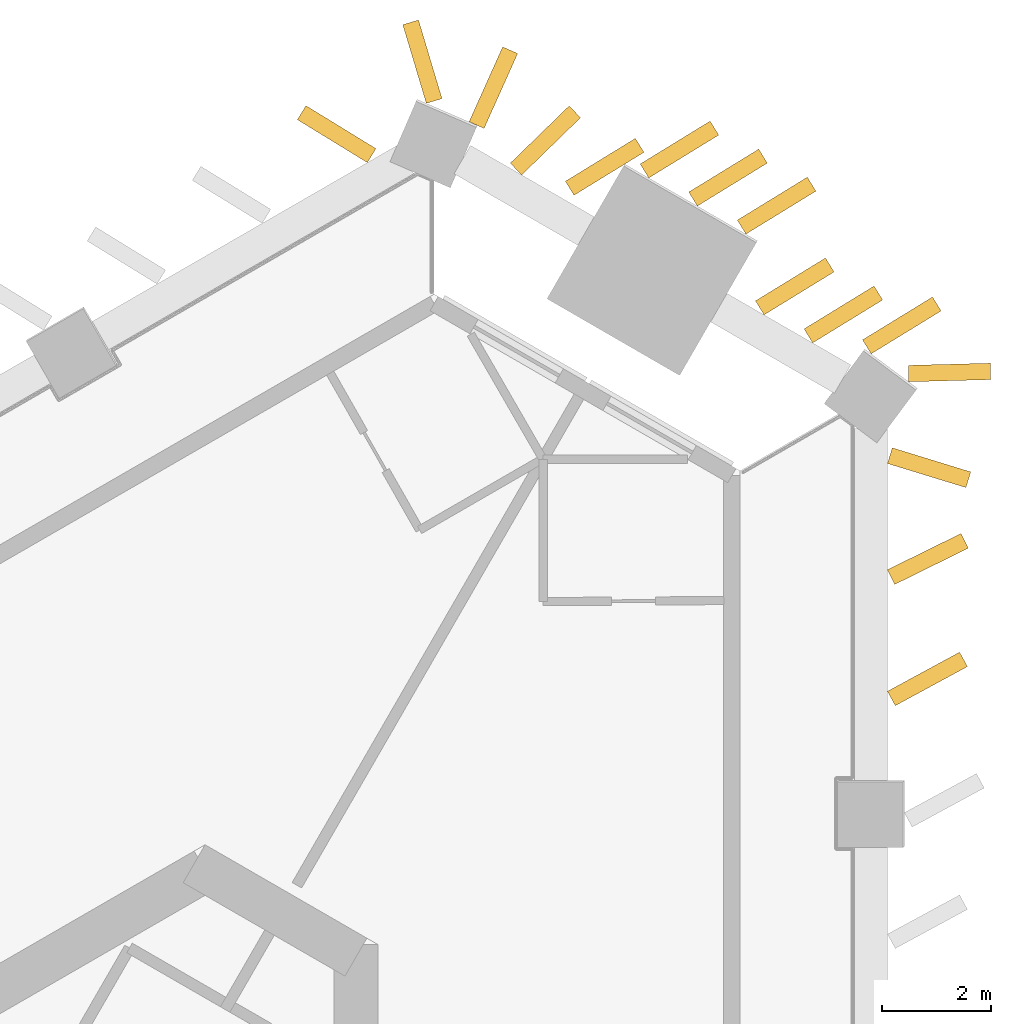
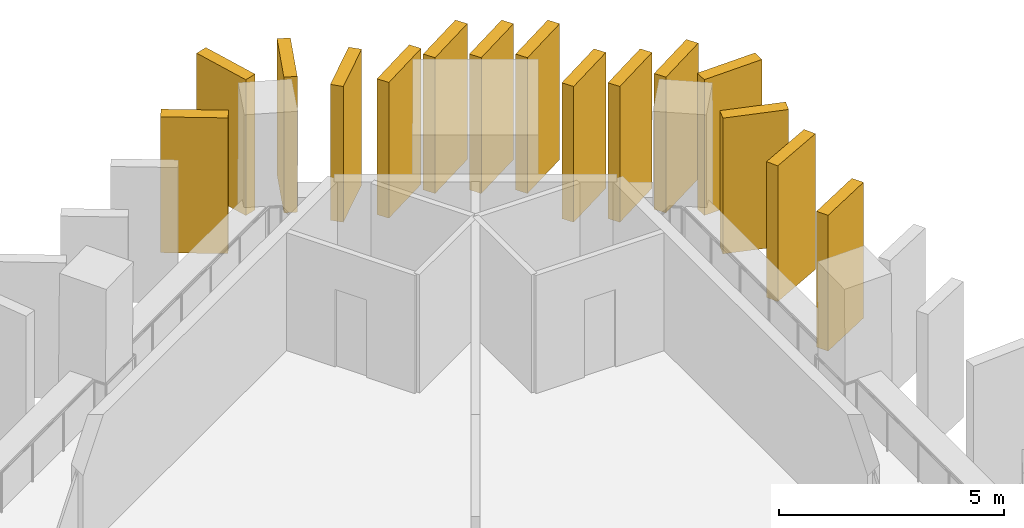
# One storey, part 10 of 10: 15 shading devices.
"""IFC4 building model written with IfcOpenShell, lengths in metres."""

from ifc_helpers import new_model, si_unit, direction, frame, frame_2d, origin, place, context, subcontext, project, spatial, rectangle, extrude, material, layer, layer_set, type_object, element, save


model = new_model("IFC4")

# Units and contexts
model_context = context("Model", 3, precision=1e-05, world=origin(), true_north=direction((0.0, 1.0)))
body_context = subcontext(model_context, "Body", "Model", "MODEL_VIEW")
ifc_project = project(units=[si_unit("LENGTHUNIT", "METRE"), si_unit("AREAUNIT", "SQUARE_METRE"), si_unit("VOLUMEUNIT", "CUBIC_METRE"), si_unit("PLANEANGLEUNIT", "RADIAN"), si_unit("MASSUNIT", "GRAM", prefix="KILO")], contexts=[model_context])

# Site, building, storey
site_placement = place(None, origin())
site = spatial("IfcSite", under=ifc_project, at=site_placement, CompositionType="ELEMENT")
building_placement = place(site_placement, origin())
building = spatial("IfcBuilding", under=site, at=building_placement, Name="Jabali Bay Hotel Tower and Convention Centre", CompositionType="ELEMENT")
storey_placement = place(building_placement, frame((0.0, 0.0, 37.39990234375)))
storey = spatial("IfcBuildingStorey", under=building, at=storey_placement, Name="L07", CompositionType="ELEMENT", Elevation=37.39990234375)

# Shading devices
ifc_material = material(Name="Precast concrete C60", Category="concrete")
ifc_layer = layer(ifc_material, 0.300048828125)
ifc_layer_set = layer_set([ifc_layer], Name="Precast concrete C60")
shading_device_type = type_object("IfcShadingDeviceType", Name="Precast fin 3680 x 1500", PredefinedType="USERDEFINED", material=ifc_layer_set)
for number, where, z_axis, x_axis, name in (
    (1, (99.264404296875, 106.623291015625, 0.010009765625), (0.0, 0.0, 1.0), (0.879056132781, 0.476718276785, 0.0), "Fin L07 026"),
    (2, (99.25927734375, 108.841796875, 0.010009765625), (0.0, 0.0, 1.0), (0.897080367859, 0.441867416317, 0.0), "Fin L07 027"),
    (3, (99.237060546875, 111.060546875, 0.010009765625), (0.0, 0.0, 1.0), (0.956025005873, -0.293285165234, 0.0), "Fin L07 028"),
    (4, (98.816162109375, 113.049072265625, 0.010009765625), (0.0, 0.0, 1.0), (0.852484277609, 0.522752863627, 0.0), "Fin L07 029"),
    (5, (97.747802734375, 113.2490234375, 0.010009765625), (0.0, 0.0, 1.0), (0.852484277609, 0.522752863627, 0.0), "Fin L07 030"),
    (6, (96.860107421875, 113.76171875, 0.010009765625), (0.0, 0.0, 1.0), (0.85243979358, 0.522825399461, 0.0), "Fin L07 031"),
    (7, (96.5283203125, 115.237548828125, 0.010009765625), (0.0, 0.0, 1.0), (0.852367247543, 0.522943663616, 0.0), "Fin L07 032"),
    (8, (95.640380859375, 115.750244140625, 0.010009765625), (0.0, 0.0, 1.0), (0.85243979358, 0.522825399461, 0.0), "Fin L07 033"),
    (9, (94.75244140625, 116.262939453125, 0.010009765625), (0.0, 0.0, 1.0), (0.85243979358, 0.522825399461, 0.0), "Fin L07 034"),
    (10, (93.386474609375, 115.947265625, 0.010009765625), (0.0, 0.0, 1.0), (0.852367247543, 0.522943663616, 0.0), "Fin L07 035"),
    (11, (92.4052734375, 116.298095703125, 0.010009765625), (0.0, 0.0, 1.0), (0.71680507823, 0.697273604709, 0.0), "Fin L07 036"),
    (12, (91.68505859375, 117.1015625, 0.010009765625), (0.0, 0.0, 1.0), (0.409186755076, 0.91245065591, 0.0), "Fin L07 037"),
    (13, (89.766845703125, 116.5439453125, 0.010009765625), (0.0, 0.0, 1.0), (-0.852367247543, 0.522943663616, 0.0), "Fin L07 038"),
    (14, (99.57763671875, 112.560791015625, 0.010009765625), (0.0, 0.0, 1.0), (0.999648037609, 0.026529246195, 0.0), "Fin L07 115"),
):
    element("IfcShadingDevice", number, at=place(storey_placement, frame(where, z_axis=z_axis, x_axis=x_axis)), inside=storey, type_object=shading_device_type, Name=name, ObjectType="FIN", PredefinedType="USERDEFINED", context=body_context, shape_type="SweptSolid", body=[
        extrude(rectangle(XDim=1.5, YDim=0.300048828125, at=frame_2d((0.75, 0.0))), origin(), (0.0, 0.0, 1.0), 3.68017578125),
    ])
shading_device_placement = place(storey_placement, frame((90.90966796875, 117.541748046875, 0.010009765625), z_axis=(0.0, 0.0, 1.0), x_axis=(-0.286586347522, 0.958054416729, 0.0)))
element("IfcShadingDevice", 15, at=shading_device_placement, inside=storey, type_object=shading_device_type, Name="Fin L07 116", ObjectType="FIN", PredefinedType="USERDEFINED", context=body_context, shape_type="SweptSolid", body=[
    extrude(rectangle(XDim=1.500244140625, YDim=0.300048828125, at=frame_2d((0.75, 0.0))), origin(), (0.0, 0.0, 1.0), 3.68017578125),
])

save(model, "model.ifc")
